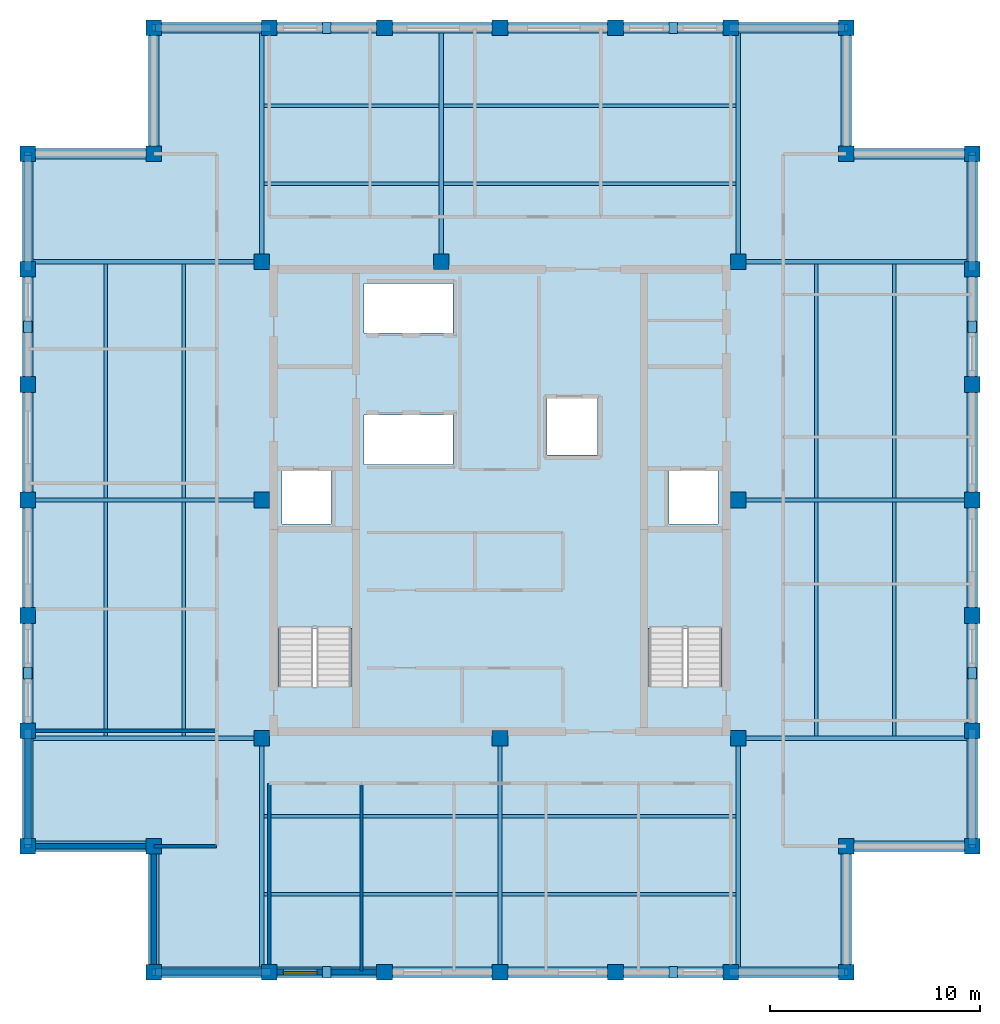
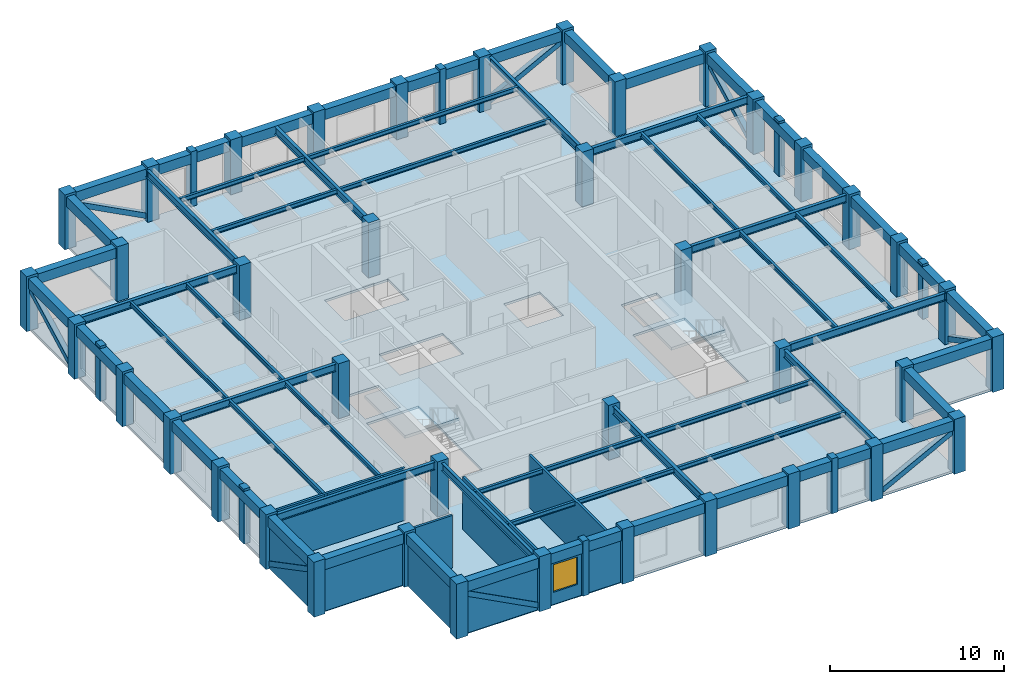
# One storey, part 1 of 6: 60 beams, 40 columns, 16 members, 9 walls, 3 slabs, 1 window, 1 opening, 2 elements without a shape of their own.
"""IFC4 building model written with IfcOpenShell, lengths in metres."""

from ifc_helpers import new_model, si_unit, direction, frame, frame_2d, origin, origin_2d, place, context, subcontext, project, spatial, polyline, rectangle, hollow_rectangle, i_section, outline, extrude, material, layer, layer_set, material_profile, profile_set, type_object, element, fill, aggregate, save


model = new_model("IFC4")

# Units and contexts
model_context = context("Model", 3, precision=1e-05, world=origin(), true_north=direction((0.0, 1.0)))
body_context = subcontext(model_context, "Body", "Model", "MODEL_VIEW")
ifc_project = project(units=[si_unit("LENGTHUNIT", "METRE"), si_unit("AREAUNIT", "SQUARE_METRE"), si_unit("VOLUMEUNIT", "CUBIC_METRE"), si_unit("PLANEANGLEUNIT", "RADIAN"), si_unit("MASSUNIT", "GRAM", prefix="KILO")], contexts=[model_context])

# Site, building, storey
site_placement = place(None, origin())
site = spatial("IfcSite", under=ifc_project, at=site_placement, CompositionType="ELEMENT")
building_placement = place(site_placement, origin())
building = spatial("IfcBuilding", under=site, at=building_placement, Name="Nhamokura Convention Tower", CompositionType="ELEMENT")
storey_placement = place(building_placement, frame((0.0, 0.0, 289.10009765625)))
storey = spatial("IfcBuildingStorey", under=building, at=storey_placement, Name="L71", CompositionType="ELEMENT", Elevation=289.10009765625)

# Columns
ifc_material_1 = material(Name="Concrete C50/60", Category="concrete")
ifc_material_profile_1 = material_profile(ifc_material_1, rectangle(XDim=0.75, YDim=0.75, at=origin_2d()))
ifc_profile_set_1 = profile_set([ifc_material_profile_1], Name="Concrete C50/60")
column_type = type_object("IfcColumnType", Name="TubeColumn_Z4_750", PredefinedType="COLUMN", material=ifc_profile_set_1)
for number, where, z_axis, x_axis, name in (
    (1, (20.64990234375, 20.64990234375, 0.0), (0.0, 0.0, 1.0), (1.0, 0.0, 0.0), "L71 Core Column CC-SW"),
    (2, (32.0, 20.64990234375, 0.0), (0.0, 0.0, 1.0), (1.0, 0.0, 0.0), "L71 Core Column CC-S"),
    (3, (43.35009765625, 20.64990234375, 0.0), (0.0, 0.0, 1.0), (1.0, 0.0, 0.0), "L71 Core Column CC-SE"),
    (4, (43.35009765625, 32.0, 0.0), (0.0, 0.0, 1.0), (1.0, 0.0, 0.0), "L71 Core Column CC-E"),
    (5, (43.35009765625, 43.35009765625, 0.0), (0.0, 0.0, 1.0), (1.0, 0.0, 0.0), "L71 Core Column CC-NE"),
    (6, (29.199951171875, 43.35009765625, 0.0), (0.0, 0.0, 1.0), (1.0, 0.0, 0.0), "L71 Core Column CC-N"),
    (7, (20.64990234375, 43.35009765625, 0.0), (0.0, 0.0, 1.0), (1.0, 0.0, 0.0), "L71 Core Column CC-NW"),
    (8, (20.64990234375, 32.0, 0.0), (0.0, 0.0, 1.0), (1.0, 0.0, 0.0), "L71 Core Column CC-W"),
    (9, (15.5, 9.5, 0.0), (0.0, 0.0, 1.0), (1.0, 0.0, 0.0), "L71 Perimeter Tube Column SW1"),
    (10, (15.5, 15.5, 0.0), (0.0, 0.0, 1.0), (1.0, 0.0, 0.0), "L71 Perimeter Tube Column SW0"),
    (11, (9.5, 15.5, 0.0), (0.0, 0.0, 1.0), (1.0, 0.0, 0.0), "L71 Perimeter Tube Column SW2"),
    (12, (48.5, 9.5, 0.0), (0.0, 0.0, 1.0), (1.0, 0.0, 0.0), "L71 Perimeter Tube Column SE1"),
    (13, (48.5, 15.5, 0.0), (0.0, 0.0, 1.0), (1.0, 0.0, 0.0), "L71 Perimeter Tube Column SE0"),
    (14, (54.5, 15.5, 0.0), (0.0, 0.0, 1.0), (1.0, 0.0, 0.0), "L71 Perimeter Tube Column SE2"),
    (15, (54.5, 48.5, 0.0), (0.0, 0.0, 1.0), (1.0, 0.0, 0.0), "L71 Perimeter Tube Column NE1"),
    (16, (48.5, 48.5, 0.0), (0.0, 0.0, 1.0), (1.0, 0.0, 0.0), "L71 Perimeter Tube Column NE0"),
    (17, (48.5, 54.5, 0.0), (0.0, 0.0, 1.0), (1.0, 0.0, 0.0), "L71 Perimeter Tube Column NE2"),
    (18, (15.5, 54.5, 0.0), (0.0, 0.0, 1.0), (1.0, 0.0, 0.0), "L71 Perimeter Tube Column NW1"),
    (19, (15.5, 48.5, 0.0), (0.0, 0.0, 1.0), (1.0, 0.0, 0.0), "L71 Perimeter Tube Column NW0"),
    (20, (9.5, 48.5, 0.0), (0.0, 0.0, 1.0), (1.0, 0.0, 0.0), "L71 Perimeter Tube Column NW2"),
    (21, (21.0, 9.5, 0.0), (0.0, 0.0, 1.0), (1.0, 0.0, 0.0), "L71 Perimeter Tube Column S1"),
    (22, (21.0, 54.5, 0.0), (0.0, 0.0, 1.0), (1.0, 0.0, 0.0), "L71 Perimeter Tube Column N1"),
    (23, (9.5, 21.0, 0.0), (0.0, 0.0, 1.0), (1.0, 0.0, 0.0), "L71 Perimeter Tube Column W1"),
    (24, (54.5, 21.0, 0.0), (0.0, 0.0, 1.0), (1.0, 0.0, 0.0), "L71 Perimeter Tube Column E1"),
    (25, (26.5, 9.5, 0.0), (0.0, 0.0, 1.0), (1.0, 0.0, 0.0), "L71 Perimeter Tube Column S2"),
    (26, (26.5, 54.5, 0.0), (0.0, 0.0, 1.0), (1.0, 0.0, 0.0), "L71 Perimeter Tube Column N2"),
    (27, (9.5, 26.5, 0.0), (0.0, 0.0, 1.0), (1.0, 0.0, 0.0), "L71 Perimeter Tube Column W2"),
    (28, (54.5, 26.5, 0.0), (0.0, 0.0, 1.0), (1.0, 0.0, 0.0), "L71 Perimeter Tube Column E2"),
    (29, (32.0, 9.5, 0.0), (0.0, 0.0, 1.0), (1.0, 0.0, 0.0), "L71 Perimeter Tube Column S3"),
    (30, (32.0, 54.5, 0.0), (0.0, 0.0, 1.0), (1.0, 0.0, 0.0), "L71 Perimeter Tube Column N3"),
    (31, (9.5, 32.0, 0.0), (0.0, 0.0, 1.0), (1.0, 0.0, 0.0), "L71 Perimeter Tube Column W3"),
    (32, (54.5, 32.0, 0.0), (0.0, 0.0, 1.0), (1.0, 0.0, 0.0), "L71 Perimeter Tube Column E3"),
    (33, (37.5, 9.5, 0.0), (0.0, 0.0, 1.0), (1.0, 0.0, 0.0), "L71 Perimeter Tube Column S4"),
    (34, (37.5, 54.5, 0.0), (0.0, 0.0, 1.0), (1.0, 0.0, 0.0), "L71 Perimeter Tube Column N4"),
    (35, (9.5, 37.5, 0.0), (0.0, 0.0, 1.0), (1.0, 0.0, 0.0), "L71 Perimeter Tube Column W4"),
    (36, (54.5, 37.5, 0.0), (0.0, 0.0, 1.0), (1.0, 0.0, 0.0), "L71 Perimeter Tube Column E4"),
    (37, (43.0, 9.5, 0.0), (0.0, 0.0, 1.0), (1.0, 0.0, 0.0), "L71 Perimeter Tube Column S5"),
    (38, (43.0, 54.5, 0.0), (0.0, 0.0, 1.0), (1.0, 0.0, 0.0), "L71 Perimeter Tube Column N5"),
    (39, (9.5, 43.0, 0.0), (0.0, 0.0, 1.0), (1.0, 0.0, 0.0), "L71 Perimeter Tube Column W5"),
    (40, (54.5, 43.0, 0.0), (0.0, 0.0, 1.0), (1.0, 0.0, 0.0), "L71 Perimeter Tube Column E5"),
):
    element("IfcColumn", number, at=place(storey_placement, frame(where, z_axis=z_axis, x_axis=x_axis)), inside=storey, type_object=column_type, Name=name, PredefinedType="COLUMN", context=body_context, shape_type="SweptSolid", body=[
        extrude(rectangle(XDim=0.75, YDim=0.75, at=origin_2d()), origin(), (0.0, 0.0, 1.0), 3.849853515625),
    ])

# Members
ifc_material_2 = material(Name="Bronze-pigmented precast concrete C45/55", Category="concrete")
ifc_material_profile_2 = material_profile(ifc_material_2, rectangle(XDim=0.39990234375, YDim=0.550048828125, at=origin_2d()))
ifc_profile_set_2 = profile_set([ifc_material_profile_2], Name="Bronze-pigmented precast concrete C45/55")
member_type_1 = type_object("IfcMemberType", Name="BronzePilaster_550", PredefinedType="USERDEFINED", material=ifc_profile_set_2)
for number, where, z_axis, x_axis, name in (
    (41, (23.75, 9.5, 0.0), (0.0, 0.0, 1.0), (1.0, 0.0, 0.0), "L71 Engaged Frame Pilaster SOUTH 1"),
    (42, (40.25, 9.5, 0.0), (0.0, 0.0, 1.0), (1.0, 0.0, 0.0), "L71 Engaged Frame Pilaster SOUTH 4"),
    (43, (23.75, 54.5, 0.0), (0.0, 0.0, 1.0), (1.0, 0.0, 0.0), "L71 Engaged Frame Pilaster NORTH 1"),
    (44, (40.25, 54.5, 0.0), (0.0, 0.0, 1.0), (1.0, 0.0, 0.0), "L71 Engaged Frame Pilaster NORTH 4"),
    (45, (9.5, 23.75, 0.0), (0.0, 0.0, 1.0), (1.0, 0.0, 0.0), "L71 Engaged Frame Pilaster WEST 1"),
    (46, (9.5, 40.25, 0.0), (0.0, 0.0, 1.0), (1.0, 0.0, 0.0), "L71 Engaged Frame Pilaster WEST 4"),
    (47, (54.5, 23.75, 0.0), (0.0, 0.0, 1.0), (1.0, 0.0, 0.0), "L71 Engaged Frame Pilaster EAST 1"),
    (48, (54.5, 40.25, 0.0), (0.0, 0.0, 1.0), (1.0, 0.0, 0.0), "L71 Engaged Frame Pilaster EAST 4"),
):
    element("IfcMember", number, at=place(storey_placement, frame(where, z_axis=z_axis, x_axis=x_axis)), inside=storey, type_object=member_type_1, Name=name, ObjectType="PILASTER_TRIM", PredefinedType="USERDEFINED", context=body_context, shape_type="SweptSolid", body=[
        extrude(rectangle(XDim=0.39990234375, YDim=0.550048828125, at=origin_2d()), origin(), (0.0, 0.0, 1.0), 3.849853515625),
    ])

# Beams
ifc_material_3 = material(Name="Steel ASTM A992 Gr 50", Category="steel")
ifc_material_profile_3 = material_profile(ifc_material_3, i_section(OverallWidth=0.166015625, OverallDepth=0.31298828125, WebThickness=0.006591796875, FlangeThickness=0.01123046875, at=origin_2d()))
ifc_profile_set_3 = profile_set([ifc_material_profile_3], Name="Steel ASTM A992 Gr 50")
beam_type_1 = type_object("IfcBeamType", Name="FloorJoist_W310X45", PredefinedType="JOIST", material=ifc_profile_set_3)
for number, where, z_axis, x_axis, name in (
    (49, (20.75244140625, 13.216796875, 3.5283203125), (1.0, 0.0, 0.0), (0.0, 1.0, 0.0), "L71 Composite Floor Joist S1A"),
    (50, (32.1025390625, 13.216796875, 3.5283203125), (1.0, 0.0, 0.0), (0.0, 1.0, 0.0), "L71 Composite Floor Joist S1B"),
    (51, (20.75244140625, 16.933349609375, 3.5283203125), (1.0, 0.0, 0.0), (0.0, 1.0, 0.0), "L71 Composite Floor Joist S2A"),
    (52, (32.1025390625, 16.933349609375, 3.5283203125), (1.0, 0.0, 0.0), (0.0, 1.0, 0.0), "L71 Composite Floor Joist S2B"),
):
    element("IfcBeam", number, at=place(storey_placement, frame(where, z_axis=z_axis, x_axis=x_axis)), inside=storey, type_object=beam_type_1, Name=name, PredefinedType="JOIST", context=body_context, shape_type="SweptSolid", body=[
        extrude(i_section(OverallWidth=0.166015625, OverallDepth=0.31298828125, WebThickness=0.006591796875, FlangeThickness=0.01123046875, at=origin_2d()), origin(), (0.0, 0.0, 1.0), 11.14501953125),
    ])
beam_1_placement = place(storey_placement, frame((20.75244140625, 47.066650390625, 3.5283203125), z_axis=(1.0, 0.0, 0.0), x_axis=(0.0, 1.0, 0.0)))
element("IfcBeam", 53, at=beam_1_placement, inside=storey, type_object=beam_type_1, Name="L71 Composite Floor Joist N1A", PredefinedType="JOIST", context=body_context, shape_type="SweptSolid", body=[
    extrude(i_section(OverallWidth=0.166015625, OverallDepth=0.31298828125, WebThickness=0.006591796875, FlangeThickness=0.01123046875, at=origin_2d()), origin(), (0.0, 0.0, 1.0), 8.344970703125),
])
beam_2_placement = place(storey_placement, frame((29.302490234375, 47.066650390625, 3.5283203125), z_axis=(1.0, 0.0, 0.0), x_axis=(0.0, 1.0, 0.0)))
element("IfcBeam", 54, at=beam_2_placement, inside=storey, type_object=beam_type_1, Name="L71 Composite Floor Joist N1B", PredefinedType="JOIST", context=body_context, shape_type="SweptSolid", body=[
    extrude(i_section(OverallWidth=0.166015625, OverallDepth=0.31298828125, WebThickness=0.006591796875, FlangeThickness=0.01123046875, at=origin_2d()), origin(), (0.0, 0.0, 1.0), 13.945068359375),
])
beam_3_placement = place(storey_placement, frame((20.75244140625, 50.783203125, 3.5283203125), z_axis=(1.0, 0.0, 0.0), x_axis=(0.0, 1.0, 0.0)))
element("IfcBeam", 55, at=beam_3_placement, inside=storey, type_object=beam_type_1, Name="L71 Composite Floor Joist N2A", PredefinedType="JOIST", context=body_context, shape_type="SweptSolid", body=[
    extrude(i_section(OverallWidth=0.166015625, OverallDepth=0.31298828125, WebThickness=0.006591796875, FlangeThickness=0.01123046875, at=origin_2d()), origin(), (0.0, 0.0, 1.0), 8.344970703125),
])
beam_4_placement = place(storey_placement, frame((29.302490234375, 50.783203125, 3.5283203125), z_axis=(1.0, 0.0, 0.0), x_axis=(0.0, 1.0, 0.0)))
element("IfcBeam", 56, at=beam_4_placement, inside=storey, type_object=beam_type_1, Name="L71 Composite Floor Joist N2B", PredefinedType="JOIST", context=body_context, shape_type="SweptSolid", body=[
    extrude(i_section(OverallWidth=0.166015625, OverallDepth=0.31298828125, WebThickness=0.006591796875, FlangeThickness=0.01123046875, at=origin_2d()), origin(), (0.0, 0.0, 1.0), 13.945068359375),
])
for number, where, z_axis, x_axis, name in (
    (57, (13.216796875, 20.75244140625, 3.5283203125), (0.0, 1.0, 0.0), (-1.0, 0.0, 0.0), "L71 Composite Floor Joist W1A"),
    (58, (13.216796875, 32.1025390625, 3.5283203125), (0.0, 1.0, 0.0), (-1.0, 0.0, 0.0), "L71 Composite Floor Joist W1B"),
    (59, (16.933349609375, 20.75244140625, 3.5283203125), (0.0, 1.0, 0.0), (-1.0, 0.0, 0.0), "L71 Composite Floor Joist W2A"),
    (60, (16.933349609375, 32.1025390625, 3.5283203125), (0.0, 1.0, 0.0), (-1.0, 0.0, 0.0), "L71 Composite Floor Joist W2B"),
    (61, (47.066650390625, 20.75244140625, 3.5283203125), (0.0, 1.0, 0.0), (-1.0, 0.0, 0.0), "L71 Composite Floor Joist E1A"),
    (62, (47.066650390625, 32.1025390625, 3.5283203125), (0.0, 1.0, 0.0), (-1.0, 0.0, 0.0), "L71 Composite Floor Joist E1B"),
    (63, (50.783203125, 20.75244140625, 3.5283203125), (0.0, 1.0, 0.0), (-1.0, 0.0, 0.0), "L71 Composite Floor Joist E2A"),
    (64, (50.783203125, 32.1025390625, 3.5283203125), (0.0, 1.0, 0.0), (-1.0, 0.0, 0.0), "L71 Composite Floor Joist E2B"),
):
    element("IfcBeam", number, at=place(storey_placement, frame(where, z_axis=z_axis, x_axis=x_axis)), inside=storey, type_object=beam_type_1, Name=name, PredefinedType="JOIST", context=body_context, shape_type="SweptSolid", body=[
        extrude(i_section(OverallWidth=0.166015625, OverallDepth=0.31298828125, WebThickness=0.006591796875, FlangeThickness=0.01123046875, at=origin_2d()), origin(), (0.0, 0.0, 1.0), 11.14501953125),
    ])
ifc_material_4 = material(Name="Steel ASTM A992 Gr 50", Category="steel")
ifc_material_profile_4 = material_profile(ifc_material_4, i_section(OverallWidth=0.208984375, OverallDepth=0.532958984375, WebThickness=0.01025390625, FlangeThickness=0.015625, at=origin_2d()))
ifc_profile_set_4 = profile_set([ifc_material_profile_4], Name="Steel ASTM A992 Gr 50")
beam_type_2 = type_object("IfcBeamType", Name="PrimaryGirder_W530X92", PredefinedType="BEAM", material=ifc_profile_set_4)
for number, where, z_axis, x_axis, name in (
    (65, (20.64990234375, 9.5, 3.41845703125), (0.0, 1.0, 0.0), (-1.0, 0.0, 0.0), "L71 Primary Floor Girder PG-S1"),
    (66, (32.0, 9.5, 3.41845703125), (0.0, 1.0, 0.0), (-1.0, 0.0, 0.0), "L71 Primary Floor Girder PG-S2"),
    (67, (43.35009765625, 9.5, 3.41845703125), (0.0, 1.0, 0.0), (-1.0, 0.0, 0.0), "L71 Primary Floor Girder PG-S3"),
    (68, (20.64990234375, 43.35009765625, 3.41845703125), (0.0, 1.0, 0.0), (-1.0, 0.0, 0.0), "L71 Primary Floor Girder PG-N1"),
    (69, (29.199951171875, 43.35009765625, 3.41845703125), (0.0, 1.0, 0.0), (-1.0, 0.0, 0.0), "L71 Primary Floor Girder PG-N2"),
    (70, (43.35009765625, 43.35009765625, 3.41845703125), (0.0, 1.0, 0.0), (-1.0, 0.0, 0.0), "L71 Primary Floor Girder PG-N3"),
    (71, (9.5, 20.64990234375, 3.41845703125), (1.0, 0.0, 0.0), (0.0, 1.0, 0.0), "L71 Primary Floor Girder PG-W1"),
    (72, (9.5, 32.0, 3.41845703125), (1.0, 0.0, 0.0), (0.0, 1.0, 0.0), "L71 Primary Floor Girder PG-W2"),
    (73, (9.5, 43.35009765625, 3.41845703125), (1.0, 0.0, 0.0), (0.0, 1.0, 0.0), "L71 Primary Floor Girder PG-W3"),
    (74, (43.35009765625, 20.64990234375, 3.41845703125), (1.0, 0.0, 0.0), (0.0, 1.0, 0.0), "L71 Primary Floor Girder PG-E1"),
    (75, (43.35009765625, 32.0, 3.41845703125), (1.0, 0.0, 0.0), (0.0, 1.0, 0.0), "L71 Primary Floor Girder PG-E2"),
    (76, (43.35009765625, 43.35009765625, 3.41845703125), (1.0, 0.0, 0.0), (0.0, 1.0, 0.0), "L71 Primary Floor Girder PG-E3"),
):
    element("IfcBeam", number, at=place(storey_placement, frame(where, z_axis=z_axis, x_axis=x_axis)), inside=storey, type_object=beam_type_2, Name=name, PredefinedType="BEAM", context=body_context, shape_type="SweptSolid", body=[
        extrude(i_section(OverallWidth=0.208984375, OverallDepth=0.532958984375, WebThickness=0.01025390625, FlangeThickness=0.015625, at=origin_2d()), origin(), (0.0, 0.0, 1.0), 11.14990234375),
    ])

# Members
ifc_material_5 = material(Name="Steel ASTM A572 Gr 50", Category="steel")
ifc_material_profile_5 = material_profile(ifc_material_5, hollow_rectangle(XDim=0.35009765625, YDim=0.35009765625, WallThickness=0.01611328125, at=origin_2d()))
ifc_profile_set_5 = profile_set([ifc_material_profile_5], Name="Steel ASTM A572 Gr 50")
member_type_2 = type_object("IfcMemberType", Name="TubeBrace_HSS350", PredefinedType="BRACE", material=ifc_profile_set_5)
for number, where, z_axis, x_axis, name in (
    (77, (21.0, 9.5, 0.14990234375), (-0.885562865764, 0.0, 0.464519548328), (0.0, -1.0, 0.0), "L71 Perimeter Tube Brace SOUTH Bay 0"),
    (78, (43.0, 9.5, 0.14990234375), (0.885562865764, 0.0, 0.464519548328), (0.0, 1.0, 0.0), "L71 Perimeter Tube Brace SOUTH Bay 5"),
    (79, (21.0, 54.5, 0.14990234375), (-0.885562865764, 0.0, 0.464519548328), (0.0, -1.0, 0.0), "L71 Perimeter Tube Brace NORTH Bay 0"),
    (80, (43.0, 54.5, 0.14990234375), (0.885562865764, 0.0, 0.464519548328), (0.0, 1.0, 0.0), "L71 Perimeter Tube Brace NORTH Bay 5"),
    (81, (9.5, 21.0, 0.14990234375), (0.0, -0.885562865764, 0.464519548328), (1.0, 0.0, 0.0), "L71 Perimeter Tube Brace WEST Bay 0"),
    (82, (9.5, 43.0, 0.14990234375), (0.0, 0.885562865764, 0.464519548328), (-1.0, 0.0, 0.0), "L71 Perimeter Tube Brace WEST Bay 5"),
    (83, (54.5, 21.0, 0.14990234375), (0.0, -0.885562865764, 0.464519548328), (1.0, 0.0, 0.0), "L71 Perimeter Tube Brace EAST Bay 0"),
    (84, (54.5, 43.0, 0.14990234375), (0.0, 0.885562865764, 0.464519548328), (-1.0, 0.0, 0.0), "L71 Perimeter Tube Brace EAST Bay 5"),
):
    element("IfcMember", number, at=place(storey_placement, frame(where, z_axis=z_axis, x_axis=x_axis)), inside=storey, type_object=member_type_2, Name=name, PredefinedType="BRACE", context=body_context, shape_type="SweptSolid", body=[
        extrude(hollow_rectangle(XDim=0.35009765625, YDim=0.35009765625, WallThickness=0.01611328125, at=origin_2d()), origin(), (0.0, 0.0, 1.0), 6.210693359375),
    ])

# Beams
ifc_material_6 = material(Name="Concrete C50/60", Category="concrete")
ifc_material_profile_6 = material_profile(ifc_material_6, rectangle(XDim=0.5, YDim=0.699951171875, at=origin_2d()))
ifc_profile_set_6 = profile_set([ifc_material_profile_6], Name="Concrete C50/60")
beam_type_3 = type_object("IfcBeamType", Name="TubeSpandrel_700", PredefinedType="SPANDREL", material=ifc_profile_set_6)
for number, where, z_axis, x_axis, name in (
    (85, (15.5, 9.5, 3.3349609375), (1.0, 0.0, 0.0), (0.0, 1.0, 0.0), "L71 Perimeter Spandrel SOUTH 1"),
    (86, (21.0, 9.5, 3.3349609375), (1.0, 0.0, 0.0), (0.0, 1.0, 0.0), "L71 Perimeter Spandrel SOUTH 2"),
    (87, (26.5, 9.5, 3.3349609375), (1.0, 0.0, 0.0), (0.0, 1.0, 0.0), "L71 Perimeter Spandrel SOUTH 3"),
    (88, (32.0, 9.5, 3.3349609375), (1.0, 0.0, 0.0), (0.0, 1.0, 0.0), "L71 Perimeter Spandrel SOUTH 4"),
    (89, (37.5, 9.5, 3.3349609375), (1.0, 0.0, 0.0), (0.0, 1.0, 0.0), "L71 Perimeter Spandrel SOUTH 5"),
    (90, (43.0, 9.5, 3.3349609375), (1.0, 0.0, 0.0), (0.0, 1.0, 0.0), "L71 Perimeter Spandrel SOUTH 6"),
    (91, (15.5, 54.5, 3.3349609375), (1.0, 0.0, 0.0), (0.0, 1.0, 0.0), "L71 Perimeter Spandrel NORTH 1"),
    (92, (21.0, 54.5, 3.3349609375), (1.0, 0.0, 0.0), (0.0, 1.0, 0.0), "L71 Perimeter Spandrel NORTH 2"),
    (93, (26.5, 54.5, 3.3349609375), (1.0, 0.0, 0.0), (0.0, 1.0, 0.0), "L71 Perimeter Spandrel NORTH 3"),
    (94, (32.0, 54.5, 3.3349609375), (1.0, 0.0, 0.0), (0.0, 1.0, 0.0), "L71 Perimeter Spandrel NORTH 4"),
    (95, (37.5, 54.5, 3.3349609375), (1.0, 0.0, 0.0), (0.0, 1.0, 0.0), "L71 Perimeter Spandrel NORTH 5"),
    (96, (43.0, 54.5, 3.3349609375), (1.0, 0.0, 0.0), (0.0, 1.0, 0.0), "L71 Perimeter Spandrel NORTH 6"),
    (97, (9.5, 15.5, 3.3349609375), (0.0, 1.0, 0.0), (-1.0, 0.0, 0.0), "L71 Perimeter Spandrel WEST 1"),
    (98, (9.5, 21.0, 3.3349609375), (0.0, 1.0, 0.0), (-1.0, 0.0, 0.0), "L71 Perimeter Spandrel WEST 2"),
    (99, (9.5, 26.5, 3.3349609375), (0.0, 1.0, 0.0), (-1.0, 0.0, 0.0), "L71 Perimeter Spandrel WEST 3"),
    (100, (9.5, 32.0, 3.3349609375), (0.0, 1.0, 0.0), (-1.0, 0.0, 0.0), "L71 Perimeter Spandrel WEST 4"),
    (101, (9.5, 37.5, 3.3349609375), (0.0, 1.0, 0.0), (-1.0, 0.0, 0.0), "L71 Perimeter Spandrel WEST 5"),
    (102, (9.5, 43.0, 3.3349609375), (0.0, 1.0, 0.0), (-1.0, 0.0, 0.0), "L71 Perimeter Spandrel WEST 6"),
    (103, (54.5, 15.5, 3.3349609375), (0.0, 1.0, 0.0), (-1.0, 0.0, 0.0), "L71 Perimeter Spandrel EAST 1"),
    (104, (54.5, 21.0, 3.3349609375), (0.0, 1.0, 0.0), (-1.0, 0.0, 0.0), "L71 Perimeter Spandrel EAST 2"),
    (105, (54.5, 26.5, 3.3349609375), (0.0, 1.0, 0.0), (-1.0, 0.0, 0.0), "L71 Perimeter Spandrel EAST 3"),
    (106, (54.5, 32.0, 3.3349609375), (0.0, 1.0, 0.0), (-1.0, 0.0, 0.0), "L71 Perimeter Spandrel EAST 4"),
    (107, (54.5, 37.5, 3.3349609375), (0.0, 1.0, 0.0), (-1.0, 0.0, 0.0), "L71 Perimeter Spandrel EAST 5"),
    (108, (54.5, 43.0, 3.3349609375), (0.0, 1.0, 0.0), (-1.0, 0.0, 0.0), "L71 Perimeter Spandrel EAST 6"),
):
    element("IfcBeam", number, at=place(storey_placement, frame(where, z_axis=z_axis, x_axis=x_axis)), inside=storey, type_object=beam_type_3, Name=name, PredefinedType="SPANDREL", context=body_context, shape_type="SweptSolid", body=[
        extrude(rectangle(XDim=0.5, YDim=0.699951171875, at=origin_2d()), origin(), (0.0, 0.0, 1.0), 5.5),
    ])
for number, where, z_axis, x_axis, name in (
    (109, (15.5, 9.5, 3.3349609375), (0.0, 1.0, 0.0), (-1.0, 0.0, 0.0), "L71 Notch Spandrel SW1"),
    (110, (15.5, 15.5, 3.3349609375), (-1.0, 0.0, 0.0), (0.0, -1.0, 0.0), "L71 Notch Spandrel SW2"),
    (111, (48.5, 9.5, 3.3349609375), (0.0, 1.0, 0.0), (-1.0, 0.0, 0.0), "L71 Notch Spandrel SE1"),
    (112, (48.5, 15.5, 3.3349609375), (1.0, 0.0, 0.0), (0.0, 1.0, 0.0), "L71 Notch Spandrel SE2"),
    (113, (54.5, 48.5, 3.3349609375), (-1.0, 0.0, 0.0), (0.0, -1.0, 0.0), "L71 Notch Spandrel NE1"),
    (114, (48.5, 48.5, 3.3349609375), (0.0, 1.0, 0.0), (-1.0, 0.0, 0.0), "L71 Notch Spandrel NE2"),
    (115, (15.5, 54.5, 3.3349609375), (0.0, -1.0, 0.0), (1.0, 0.0, 0.0), "L71 Notch Spandrel NW1"),
    (116, (15.5, 48.5, 3.3349609375), (-1.0, 0.0, 0.0), (0.0, -1.0, 0.0), "L71 Notch Spandrel NW2"),
):
    element("IfcBeam", number, at=place(storey_placement, frame(where, z_axis=z_axis, x_axis=x_axis)), inside=storey, type_object=beam_type_3, Name=name, PredefinedType="SPANDREL", context=body_context, shape_type="SweptSolid", body=[
        extrude(rectangle(XDim=0.5, YDim=0.699951171875, at=origin_2d()), origin(), (0.0, 0.0, 1.0), 6.0),
    ])

# Slab
ifc_material_7 = material(Name="Concrete C40/50", Category="concrete")
ifc_layer_1 = layer(ifc_material_7, 0.1650390625)
ifc_layer_set_1 = layer_set([ifc_layer_1], Name="OfficeFloorSlab_165")
slab_type_1 = type_object("IfcSlabType", Name="OfficeFloorSlab_165", PredefinedType="FLOOR", material=ifc_layer_set_1)
slab_1_placement = place(storey_placement, frame((0.0, 0.0, -0.1650390625)))
element("IfcSlab", 117, at=slab_1_placement, inside=storey, type_object=slab_type_1, Name="L71 Structural Floor Slab", PredefinedType="FLOOR", context=body_context, shape_type="SweptSolid", body=[
    extrude(outline(polyline([(15.5, 9.5), (48.5, 9.5), (48.5, 15.5), (54.5, 15.5), (54.5, 48.5), (48.5, 48.5), (48.5, 54.5), (15.5, 54.5), (15.5, 48.5), (9.5, 48.5), (9.5, 15.5), (15.5, 15.5), (15.5, 9.5)]), holes=[polyline([(24.89990234375, 23.10009765625), (24.89990234375, 30.449951171875), (21.449951171875, 30.449951171875), (21.449951171875, 23.10009765625), (24.89990234375, 23.10009765625)]), polyline([(42.550048828125, 23.10009765625), (42.550048828125, 30.449951171875), (39.10009765625, 30.449951171875), (39.10009765625, 23.10009765625), (42.550048828125, 23.10009765625)]), polyline([(21.60009765625, 30.85009765625), (23.949951171875, 30.85009765625), (23.949951171875, 33.39990234375), (21.60009765625, 33.39990234375), (21.60009765625, 30.85009765625)]), polyline([(40.050048828125, 30.85009765625), (42.39990234375, 30.85009765625), (42.39990234375, 33.39990234375), (40.050048828125, 33.39990234375), (40.050048828125, 30.85009765625)]), polyline([(34.25, 34.14990234375), (36.64990234375, 34.14990234375), (36.64990234375, 36.85009765625), (34.25, 36.85009765625), (34.25, 34.14990234375)]), polyline([(25.52001953125, 33.679931640625), (29.75, 33.679931640625), (29.75, 36.050048828125), (25.52001953125, 36.050048828125), (25.52001953125, 33.679931640625)]), polyline([(25.52001953125, 39.949951171875), (29.75, 39.949951171875), (29.75, 42.320068359375), (25.52001953125, 42.320068359375), (25.52001953125, 39.949951171875)])]), origin(), (0.0, 0.0, 1.0), 0.1650390625),
])

# Stair, slab
ifc_material_8 = material(Name="Concrete C40/50", Category="concrete")
stair_type = type_object("IfcStairType", Name="TowerCoreStair_1650", PredefinedType="HALF_TURN_STAIR", material=ifc_material_8)
stair_1_placement = place(storey_placement, origin())
stair_1 = element("IfcStair", 118, at=stair_1_placement, inside=storey, type_object=stair_type, Name="L71 West Core Smokeproof Stair ST-01", PredefinedType="HALF_TURN_STAIR")
ifc_material_9 = material(Name="Concrete C40/50", Category="concrete")
ifc_layer_2 = layer(ifc_material_9, 0.199951171875)
ifc_layer_set_2 = layer_set([ifc_layer_2], Name="StairLandingSlab_200")
slab_type_2 = type_object("IfcSlabType", Name="StairLandingSlab_200", PredefinedType="LANDING", material=ifc_layer_set_2)
slab_2_placement = place(storey_placement, frame((0.0, 0.0, 1.724853515625)))
slab_2 = element("IfcSlab", 119, at=slab_2_placement, type_object=slab_type_2, Name="ST-01 landing 1", PredefinedType="LANDING", context=body_context, shape_type="SweptSolid", body=[
    extrude(outline(polyline([(24.97998046875, 25.8701171875), (24.97998046875, 30.530029296875), (21.3701171875, 30.530029296875), (21.3701171875, 25.8701171875), (24.97998046875, 25.8701171875)])), origin(), (0.0, 0.0, 1.0), 0.199951171875),
])
aggregate(stair_1, [slab_2])

stair_2_placement = place(storey_placement, origin())
stair_2 = element("IfcStair", 120, at=stair_2_placement, inside=storey, type_object=stair_type, Name="L71 East Core Smokeproof Stair ST-02", PredefinedType="HALF_TURN_STAIR")
slab_3_placement = place(storey_placement, frame((0.0, 0.0, 1.724853515625)))
slab_3 = element("IfcSlab", 121, at=slab_3_placement, type_object=slab_type_2, Name="ST-02 landing 1", PredefinedType="LANDING", context=body_context, shape_type="SweptSolid", body=[
    extrude(outline(polyline([(42.6298828125, 25.8701171875), (42.6298828125, 30.530029296875), (39.02001953125, 30.530029296875), (39.02001953125, 25.8701171875), (42.6298828125, 25.8701171875)])), origin(), (0.0, 0.0, 1.0), 0.199951171875),
])
aggregate(stair_2, [slab_3])

# Wall
ifc_material_10 = material(Name="Bronze-pigmented precast concrete C45/55", Category="concrete")
ifc_layer_3 = layer(ifc_material_10, 0.280029296875)
ifc_layer_set_3 = layer_set([ifc_layer_3], Name="BronzePrecastSpandrel_280")
wall_type_1 = type_object("IfcWallType", Name="BronzePrecastSpandrel_280", PredefinedType="USERDEFINED", material=ifc_layer_set_3)
wall_1_placement = place(storey_placement, frame((21.0, 9.5, 0.0), z_axis=(0.0, 0.0, 1.0), x_axis=(-1.0, 0.0, 0.0)))
element("IfcWall", 122, at=wall_1_placement, inside=storey, type_object=wall_type_1, Name="L71 Braced-Bay Precast Wall SOUTH 0", ObjectType="SPANDREL_WALL", PredefinedType="USERDEFINED", context=body_context, shape_type="SweptSolid", body=[
    extrude(rectangle(XDim=5.5, YDim=0.280029296875, at=frame_2d((2.75, 0.0))), origin(), (0.0, 0.0, 1.0), 2.98486328125),
])

# Wall, opening, window
wall_2_placement = place(storey_placement, frame((26.5, 9.5, 0.0), z_axis=(0.0, 0.0, 1.0), x_axis=(-1.0, 0.0, 0.0)))
wall_2 = element("IfcWall", 123, at=wall_2_placement, inside=storey, type_object=wall_type_1, Name="L71 Masonry-Frame Wall SOUTH 1", ObjectType="SPANDREL_WALL", PredefinedType="USERDEFINED", context=body_context, shape_type="SweptSolid", body=[
    extrude(rectangle(XDim=5.5, YDim=0.280029296875, at=frame_2d((2.75, 0.0))), origin(), (0.0, 0.0, 1.0), 2.98486328125),
])
opening_placement = place(wall_2_placement, frame((3.22509765625, 0.0, 0.85009765625)))
opening = element("IfcOpeningElement", 124, at=opening_placement, cuts=wall_2, Name="Opening W-11", PredefinedType="OPENING", context=body_context, shape_type="SweptSolid", body=[
    extrude(rectangle(XDim=1.60009765625, YDim=1.93505859375, at=frame_2d((0.800048828125, 0.967529296875))), frame((0.0, 0.14990234375, 0.0), z_axis=(0.0, -1.0, 0.0), x_axis=(1.0, 0.0, 0.0)), (0.0, 0.0, 1.0), 0.300048828125),
])
ifc_material_11 = material(Name="Solar-control bronze low-E double glass", Category="glass")
window_type = type_object("IfcWindowType", Name="NotchCornerWindow_1600", PartitioningType="SINGLE_PANEL", PredefinedType="WINDOW", material=ifc_material_11)
window_placement = place(opening_placement, origin())
window = element("IfcWindow", 125, at=window_placement, inside=storey, type_object=window_type, Name="L71 Facade Window SOUTH 1-3", OverallHeight=1.93505859375, OverallWidth=1.60009765625, PartitioningType="SINGLE_PANEL", PredefinedType="WINDOW", context=body_context, shape_type="SweptSolid", body=[
    extrude(rectangle(XDim=1.60009765625, YDim=1.93505859375, at=frame_2d((0.800048828125, 0.967529296875))), frame((0.0, 0.030029296875, 0.0), z_axis=(0.0, -1.0, 0.0), x_axis=(1.0, 0.0, 0.0)), (0.0, 0.0, 1.0), 0.06005859375),
])
fill(opening, window)

# Walls
wall_3_placement = place(storey_placement, frame((9.5, 15.5, 0.0), z_axis=(0.0, 0.0, 1.0), x_axis=(0.0, 1.0, 0.0)))
element("IfcWall", 126, at=wall_3_placement, inside=storey, type_object=wall_type_1, Name="L71 Braced-Bay Precast Wall WEST 0", ObjectType="SPANDREL_WALL", PredefinedType="USERDEFINED", context=body_context, shape_type="SweptSolid", body=[
    extrude(rectangle(XDim=5.5, YDim=0.280029296875, at=frame_2d((2.75, 0.0))), origin(), (0.0, 0.0, 1.0), 2.98486328125),
])
for number, where, z_axis, x_axis, name in (
    (127, (15.5, 9.5, 0.0), (0.0, 0.0, 1.0), (0.0, 1.0, 0.0), "L71 Notched Corner Wall SW1"),
    (128, (15.5, 15.5, 0.0), (0.0, 0.0, 1.0), (-1.0, 0.0, 0.0), "L71 Notched Corner Wall SW2"),
):
    element("IfcWall", number, at=place(storey_placement, frame(where, z_axis=z_axis, x_axis=x_axis)), inside=storey, type_object=wall_type_1, Name=name, ObjectType="SPANDREL_WALL", PredefinedType="USERDEFINED", context=body_context, shape_type="SweptSolid", body=[
        extrude(rectangle(XDim=6.0, YDim=0.280029296875, at=frame_2d((3.0, 0.0))), origin(), (0.0, 0.0, 1.0), 2.98486328125),
    ])
ifc_material_12 = material(Name="Acoustic gypsum stud partition", Category="masonry")
ifc_layer_4 = layer(ifc_material_12, 0.14990234375)
ifc_layer_set_4 = layer_set([ifc_layer_4], Name="InteriorPartition_150")
wall_type_2 = type_object("IfcWallType", Name="InteriorPartition_150", PredefinedType="STANDARD", material=ifc_layer_set_4)
for number, where, z_axis, x_axis, name in (
    (129, (21.0, 9.56005859375, 0.0), (0.0, 0.0, 1.0), (0.0, 1.0, 0.0), "L71 Wall INT-L71-RWL-S"),
    (130, (25.39990234375, 9.56005859375, 0.0), (0.0, 0.0, 1.0), (0.0, 1.0, 0.0), "L71 Wall INT-L71-RW-S01"),
    (131, (9.56005859375, 21.0, 0.0), (0.0, 0.0, 1.0), (1.0, 0.0, 0.0), "L71 Wall INT-L71-RW-W01"),
):
    element("IfcWall", number, at=place(storey_placement, frame(where, z_axis=z_axis, x_axis=x_axis)), inside=storey, type_object=wall_type_2, Name=name, PredefinedType="STANDARD", context=body_context, shape_type="SweptSolid", body=[
        extrude(rectangle(XDim=8.93994140625, YDim=0.14990234375, at=frame_2d((4.469970703125, 0.0))), origin(), (0.0, 0.0, 1.0), 3.684814453125),
    ])
wall_4_placement = place(storey_placement, frame((15.5, 15.5, 0.0), z_axis=(0.0, 0.0, 1.0), x_axis=(1.0, 0.0, 0.0)))
element("IfcWall", 132, at=wall_4_placement, inside=storey, type_object=wall_type_2, Name="L71 Wall INT-L71-VSTP-WS", PredefinedType="STANDARD", context=body_context, shape_type="SweptSolid", body=[
    extrude(rectangle(XDim=3.0, YDim=0.14990234375, at=frame_2d((1.5, 0.0))), origin(), (0.0, 0.0, 1.0), 3.684814453125),
])

save(model, "model.ifc")
